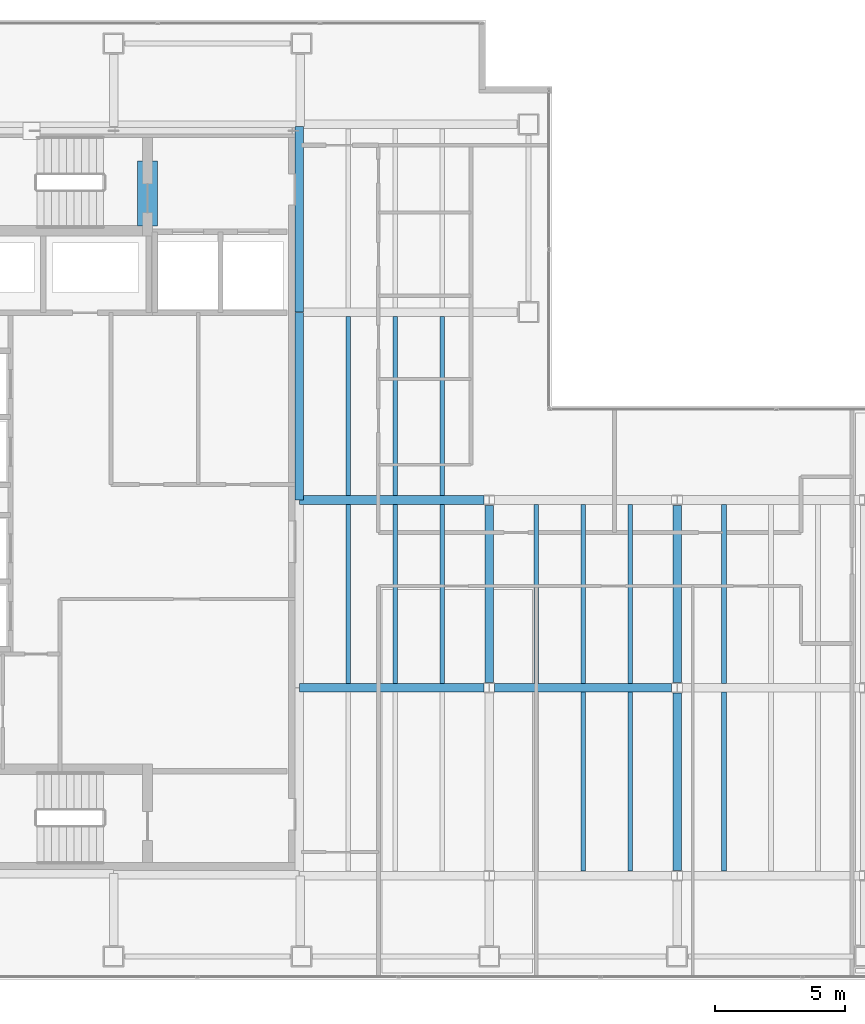
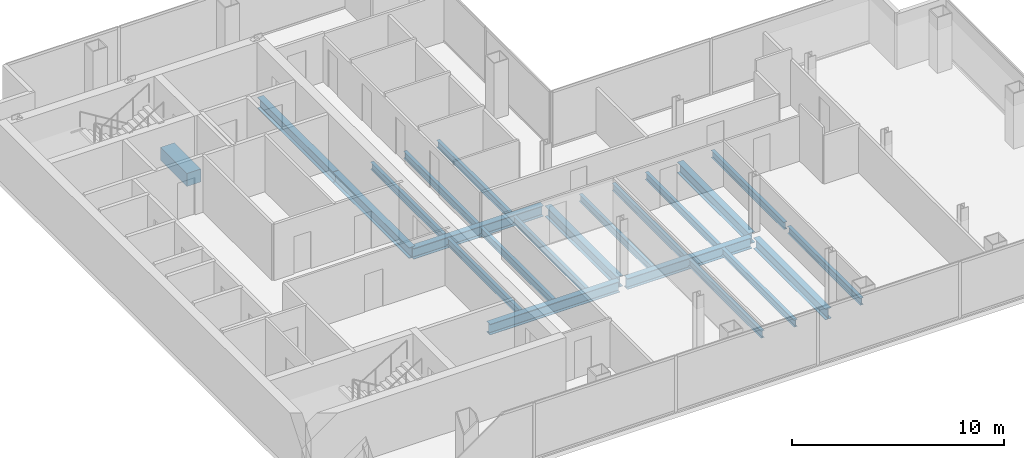
# One storey, part 7 of 23: 22 beams.
"""IFC4 building model written with IfcOpenShell, lengths in metres."""

from ifc_helpers import new_model, si_unit, direction, frame, origin, origin_2d, place, context, subcontext, project, spatial, rectangle, i_section, extrude, material, material_profile, profile_set, type_object, element, save


model = new_model("IFC4")

# Units and contexts
model_context = context("Model", 3, precision=1e-05, world=origin(), true_north=direction((0.0, 1.0)))
body_context = subcontext(model_context, "Body", "Model", "MODEL_VIEW")
ifc_project = project(units=[si_unit("LENGTHUNIT", "METRE"), si_unit("AREAUNIT", "SQUARE_METRE"), si_unit("VOLUMEUNIT", "CUBIC_METRE"), si_unit("PLANEANGLEUNIT", "RADIAN"), si_unit("MASSUNIT", "GRAM", prefix="KILO")], contexts=[model_context])

# Site, building, storey
site_placement = place(None, origin())
site = spatial("IfcSite", under=ifc_project, at=site_placement, CompositionType="ELEMENT")
building_placement = place(site_placement, origin())
building = spatial("IfcBuilding", under=site, at=building_placement, Name="Cobrela Telecom Tower", CompositionType="ELEMENT")
storey_placement = place(building_placement, frame((0.0, 0.0, 187.25)))
storey = spatial("IfcBuildingStorey", under=building, at=storey_placement, Name="L47", CompositionType="ELEMENT", Elevation=187.25)

# Beams
ifc_material_1 = material(Name="Concrete C40/50", Category="concrete")
ifc_material_profile_1 = material_profile(ifc_material_1, rectangle(XDim=0.75, YDim=0.75, at=origin_2d()), Name="RC 750x750")
ifc_profile_set_1 = profile_set([ifc_material_profile_1], Name="Concrete C40/50")
beam_type_1 = type_object("IfcBeamType", Name="BM-COUP-RC", PredefinedType="LINTEL", material=ifc_profile_set_1)
beam_1_placement = place(storey_placement, frame((8.5, 32.10009765625, -0.610107421875), z_axis=(0.0, 1.0, 0.0), x_axis=(-1.0, 0.0, 0.0)))
element("IfcBeam", 1, at=beam_1_placement, inside=storey, type_object=beam_type_1, Name="L47 Core Coupling Lintel Beam", PredefinedType="LINTEL", context=body_context, shape_type="SweptSolid", body=[
    extrude(rectangle(XDim=0.75, YDim=0.75, at=origin_2d()), origin(), (0.0, 0.0, 1.0), 2.5),
])
ifc_material_2 = material(Name="Steel ASTM A992 Grade 50", Category="steel")
ifc_material_profile_2 = material_profile(ifc_material_2, i_section(OverallWidth=0.327880859375, OverallDepth=0.6220703125, WebThickness=0.015380859375, FlangeThickness=0.0244140625, FilletRadius=0.014892578125, at=origin_2d()), Name="W24X131")
ifc_profile_set_2 = profile_set([ifc_material_profile_2], Name="Steel ASTM A992 Grade 50")
beam_type_2 = type_object("IfcBeamType", Name="BM-GIRD-06", PredefinedType="USERDEFINED", material=ifc_profile_set_2)
beam_2_placement = place(storey_placement, frame((14.324951171875, 14.39990234375, -0.571044921875), z_axis=(1.0, 0.0, 0.0), x_axis=(0.0, 1.0, 0.0)))
element("IfcBeam", 2, at=beam_2_placement, inside=storey, type_object=beam_type_2, Name="L47 Primary Girder X11", ObjectType="GIRDER", PredefinedType="USERDEFINED", context=body_context, shape_type="SweptSolid", body=[
    extrude(i_section(OverallWidth=0.327880859375, OverallDepth=0.6220703125, WebThickness=0.015380859375, FlangeThickness=0.0244140625, FilletRadius=0.014892578125, at=origin_2d()), origin(), (0.0, 0.0, 1.0), 7.070556640625),
])
beam_3_placement = place(storey_placement, frame((21.804443359375, 14.39990234375, -0.571044921875), z_axis=(1.0, 0.0, 0.0), x_axis=(0.0, 1.0, 0.0)))
element("IfcBeam", 3, at=beam_3_placement, inside=storey, type_object=beam_type_2, Name="L47 Primary Girder X12", ObjectType="GIRDER", PredefinedType="USERDEFINED", context=body_context, shape_type="SweptSolid", body=[
    extrude(i_section(OverallWidth=0.327880859375, OverallDepth=0.6220703125, WebThickness=0.015380859375, FlangeThickness=0.0244140625, FilletRadius=0.014892578125, at=origin_2d()), origin(), (0.0, 0.0, 1.0), 6.791015625),
])
beam_4_placement = place(storey_placement, frame((14.324951171875, 21.60009765625, -0.571044921875), z_axis=(1.0, 0.0, 0.0), x_axis=(0.0, 1.0, 0.0)))
element("IfcBeam", 4, at=beam_4_placement, inside=storey, type_object=beam_type_2, Name="L47 Primary Girder X15", ObjectType="GIRDER", PredefinedType="USERDEFINED", context=body_context, shape_type="SweptSolid", body=[
    extrude(i_section(OverallWidth=0.327880859375, OverallDepth=0.6220703125, WebThickness=0.015380859375, FlangeThickness=0.0244140625, FilletRadius=0.014892578125, at=origin_2d()), origin(), (0.0, 0.0, 1.0), 7.070556640625),
])
beam_5_placement = place(storey_placement, frame((14.320068359375, 21.60498046875, -0.571044921875), z_axis=(0.0, 1.0, 0.0), x_axis=(-1.0, 0.0, 0.0)))
element("IfcBeam", 5, at=beam_5_placement, inside=storey, type_object=beam_type_2, Name="L47 Primary Girder Y29", ObjectType="GIRDER", PredefinedType="USERDEFINED", context=body_context, shape_type="SweptSolid", body=[
    extrude(i_section(OverallWidth=0.327880859375, OverallDepth=0.6220703125, WebThickness=0.015380859375, FlangeThickness=0.0244140625, FilletRadius=0.014892578125, at=origin_2d()), origin(), (0.0, 0.0, 1.0), 7.18994140625),
])
beam_6_placement = place(storey_placement, frame((14.320068359375, 28.804931640625, -0.571044921875), z_axis=(0.0, 1.0, 0.0), x_axis=(-1.0, 0.0, 0.0)))
element("IfcBeam", 6, at=beam_6_placement, inside=storey, type_object=beam_type_2, Name="L47 Primary Girder Y30", ObjectType="GIRDER", PredefinedType="USERDEFINED", context=body_context, shape_type="SweptSolid", body=[
    extrude(i_section(OverallWidth=0.327880859375, OverallDepth=0.6220703125, WebThickness=0.015380859375, FlangeThickness=0.0244140625, FilletRadius=0.014892578125, at=origin_2d()), origin(), (0.0, 0.0, 1.0), 7.110107421875),
])
for number, where, z_axis, x_axis, name in (
    (7, (21.60009765625, 14.6044921875, -0.571044921875), (0.0, 1.0, 0.0), (-1.0, 0.0, 0.0), "L47 Primary Girder Y34"),
    (8, (28.800048828125, 7.404541015625, -0.571044921875), (0.0, 1.0, 0.0), (-1.0, 0.0, 0.0), "L47 Primary Girder Y37"),
    (9, (28.800048828125, 14.6044921875, -0.571044921875), (0.0, 1.0, 0.0), (-1.0, 0.0, 0.0), "L47 Primary Girder Y38"),
):
    element("IfcBeam", number, at=place(storey_placement, frame(where, z_axis=z_axis, x_axis=x_axis)), inside=storey, type_object=beam_type_2, Name=name, ObjectType="GIRDER", PredefinedType="USERDEFINED", context=body_context, shape_type="SweptSolid", body=[
        extrude(i_section(OverallWidth=0.327880859375, OverallDepth=0.6220703125, WebThickness=0.015380859375, FlangeThickness=0.0244140625, FilletRadius=0.014892578125, at=origin_2d()), origin(), (0.0, 0.0, 1.0), 6.791015625),
    ])
ifc_material_profile_3 = material_profile(ifc_material_2, i_section(OverallWidth=0.179931640625, OverallDepth=0.4169921875, WebThickness=0.010986328125, FlangeThickness=0.01806640625, FilletRadius=0.011962890625, at=origin_2d()), Name="W16X57")
ifc_profile_set_3 = profile_set([ifc_material_profile_3], Name="Steel ASTM A992 Grade 50")
beam_type_3 = type_object("IfcBeamType", Name="BM-JOIST-04", PredefinedType="JOIST", material=ifc_profile_set_3)
beam_7_placement = place(storey_placement, frame((16.199951171875, 14.569091796875, -0.468505859375), z_axis=(0.0, 1.0, 0.0), x_axis=(-1.0, 0.0, 0.0)))
element("IfcBeam", 10, at=beam_7_placement, inside=storey, type_object=beam_type_3, Name="L47 Secondary Composite Floor Beam J02", PredefinedType="JOIST", context=body_context, shape_type="SweptSolid", body=[
    extrude(i_section(OverallWidth=0.179931640625, OverallDepth=0.4169921875, WebThickness=0.010986328125, FlangeThickness=0.01806640625, FilletRadius=0.011962890625, at=origin_2d()), origin(), (0.0, 0.0, 1.0), 6.86181640625),
])
beam_8_placement = place(storey_placement, frame((16.199951171875, 21.76904296875, -0.468505859375), z_axis=(0.0, 1.0, 0.0), x_axis=(-1.0, 0.0, 0.0)))
element("IfcBeam", 11, at=beam_8_placement, inside=storey, type_object=beam_type_3, Name="L47 Secondary Composite Floor Beam J03", PredefinedType="JOIST", context=body_context, shape_type="SweptSolid", body=[
    extrude(i_section(OverallWidth=0.179931640625, OverallDepth=0.4169921875, WebThickness=0.010986328125, FlangeThickness=0.01806640625, FilletRadius=0.011962890625, at=origin_2d()), origin(), (0.0, 0.0, 1.0), 6.862060546875),
])
beam_9_placement = place(storey_placement, frame((18.0, 14.569091796875, -0.468505859375), z_axis=(0.0, 1.0, 0.0), x_axis=(-1.0, 0.0, 0.0)))
element("IfcBeam", 12, at=beam_9_placement, inside=storey, type_object=beam_type_3, Name="L47 Secondary Composite Floor Beam J06", PredefinedType="JOIST", context=body_context, shape_type="SweptSolid", body=[
    extrude(i_section(OverallWidth=0.179931640625, OverallDepth=0.4169921875, WebThickness=0.010986328125, FlangeThickness=0.01806640625, FilletRadius=0.011962890625, at=origin_2d()), origin(), (0.0, 0.0, 1.0), 6.86181640625),
])
beam_10_placement = place(storey_placement, frame((18.0, 21.76904296875, -0.468505859375), z_axis=(0.0, 1.0, 0.0), x_axis=(-1.0, 0.0, 0.0)))
element("IfcBeam", 13, at=beam_10_placement, inside=storey, type_object=beam_type_3, Name="L47 Secondary Composite Floor Beam J07", PredefinedType="JOIST", context=body_context, shape_type="SweptSolid", body=[
    extrude(i_section(OverallWidth=0.179931640625, OverallDepth=0.4169921875, WebThickness=0.010986328125, FlangeThickness=0.01806640625, FilletRadius=0.011962890625, at=origin_2d()), origin(), (0.0, 0.0, 1.0), 6.862060546875),
])
beam_11_placement = place(storey_placement, frame((19.800048828125, 14.569091796875, -0.468505859375), z_axis=(0.0, 1.0, 0.0), x_axis=(-1.0, 0.0, 0.0)))
element("IfcBeam", 14, at=beam_11_placement, inside=storey, type_object=beam_type_3, Name="L47 Secondary Composite Floor Beam J10", PredefinedType="JOIST", context=body_context, shape_type="SweptSolid", body=[
    extrude(i_section(OverallWidth=0.179931640625, OverallDepth=0.4169921875, WebThickness=0.010986328125, FlangeThickness=0.01806640625, FilletRadius=0.011962890625, at=origin_2d()), origin(), (0.0, 0.0, 1.0), 6.86181640625),
])
beam_12_placement = place(storey_placement, frame((19.800048828125, 21.76904296875, -0.468505859375), z_axis=(0.0, 1.0, 0.0), x_axis=(-1.0, 0.0, 0.0)))
element("IfcBeam", 15, at=beam_12_placement, inside=storey, type_object=beam_type_3, Name="L47 Secondary Composite Floor Beam J11", PredefinedType="JOIST", context=body_context, shape_type="SweptSolid", body=[
    extrude(i_section(OverallWidth=0.179931640625, OverallDepth=0.4169921875, WebThickness=0.010986328125, FlangeThickness=0.01806640625, FilletRadius=0.011962890625, at=origin_2d()), origin(), (0.0, 0.0, 1.0), 6.862060546875),
])
beam_13_placement = place(storey_placement, frame((23.39990234375, 14.569091796875, -0.468505859375), z_axis=(0.0, 1.0, 0.0), x_axis=(-1.0, 0.0, 0.0)))
element("IfcBeam", 16, at=beam_13_placement, inside=storey, type_object=beam_type_3, Name="L47 Secondary Composite Floor Beam J14", PredefinedType="JOIST", context=body_context, shape_type="SweptSolid", body=[
    extrude(i_section(OverallWidth=0.179931640625, OverallDepth=0.4169921875, WebThickness=0.010986328125, FlangeThickness=0.01806640625, FilletRadius=0.011962890625, at=origin_2d()), origin(), (0.0, 0.0, 1.0), 6.86181640625),
])
beam_14_placement = place(storey_placement, frame((25.199951171875, 7.368896484375, -0.468505859375), z_axis=(0.0, 1.0, 0.0), x_axis=(-1.0, 0.0, 0.0)))
element("IfcBeam", 17, at=beam_14_placement, inside=storey, type_object=beam_type_3, Name="L47 Secondary Composite Floor Beam J15", PredefinedType="JOIST", context=body_context, shape_type="SweptSolid", body=[
    extrude(i_section(OverallWidth=0.179931640625, OverallDepth=0.4169921875, WebThickness=0.010986328125, FlangeThickness=0.01806640625, FilletRadius=0.011962890625, at=origin_2d()), origin(), (0.0, 0.0, 1.0), 6.862060546875),
])
beam_15_placement = place(storey_placement, frame((25.199951171875, 14.569091796875, -0.468505859375), z_axis=(0.0, 1.0, 0.0), x_axis=(-1.0, 0.0, 0.0)))
element("IfcBeam", 18, at=beam_15_placement, inside=storey, type_object=beam_type_3, Name="L47 Secondary Composite Floor Beam J16", PredefinedType="JOIST", context=body_context, shape_type="SweptSolid", body=[
    extrude(i_section(OverallWidth=0.179931640625, OverallDepth=0.4169921875, WebThickness=0.010986328125, FlangeThickness=0.01806640625, FilletRadius=0.011962890625, at=origin_2d()), origin(), (0.0, 0.0, 1.0), 6.86181640625),
])
beam_16_placement = place(storey_placement, frame((27.0, 7.368896484375, -0.468505859375), z_axis=(0.0, 1.0, 0.0), x_axis=(-1.0, 0.0, 0.0)))
element("IfcBeam", 19, at=beam_16_placement, inside=storey, type_object=beam_type_3, Name="L47 Secondary Composite Floor Beam J17", PredefinedType="JOIST", context=body_context, shape_type="SweptSolid", body=[
    extrude(i_section(OverallWidth=0.179931640625, OverallDepth=0.4169921875, WebThickness=0.010986328125, FlangeThickness=0.01806640625, FilletRadius=0.011962890625, at=origin_2d()), origin(), (0.0, 0.0, 1.0), 6.862060546875),
])
beam_17_placement = place(storey_placement, frame((27.0, 14.569091796875, -0.468505859375), z_axis=(0.0, 1.0, 0.0), x_axis=(-1.0, 0.0, 0.0)))
element("IfcBeam", 20, at=beam_17_placement, inside=storey, type_object=beam_type_3, Name="L47 Secondary Composite Floor Beam J18", PredefinedType="JOIST", context=body_context, shape_type="SweptSolid", body=[
    extrude(i_section(OverallWidth=0.179931640625, OverallDepth=0.4169921875, WebThickness=0.010986328125, FlangeThickness=0.01806640625, FilletRadius=0.011962890625, at=origin_2d()), origin(), (0.0, 0.0, 1.0), 6.86181640625),
])
beam_18_placement = place(storey_placement, frame((30.60009765625, 7.368896484375, -0.468505859375), z_axis=(0.0, 1.0, 0.0), x_axis=(-1.0, 0.0, 0.0)))
element("IfcBeam", 21, at=beam_18_placement, inside=storey, type_object=beam_type_3, Name="L47 Secondary Composite Floor Beam J19", PredefinedType="JOIST", context=body_context, shape_type="SweptSolid", body=[
    extrude(i_section(OverallWidth=0.179931640625, OverallDepth=0.4169921875, WebThickness=0.010986328125, FlangeThickness=0.01806640625, FilletRadius=0.011962890625, at=origin_2d()), origin(), (0.0, 0.0, 1.0), 6.862060546875),
])
beam_19_placement = place(storey_placement, frame((30.60009765625, 14.569091796875, -0.468505859375), z_axis=(0.0, 1.0, 0.0), x_axis=(-1.0, 0.0, 0.0)))
element("IfcBeam", 22, at=beam_19_placement, inside=storey, type_object=beam_type_3, Name="L47 Secondary Composite Floor Beam J20", PredefinedType="JOIST", context=body_context, shape_type="SweptSolid", body=[
    extrude(i_section(OverallWidth=0.179931640625, OverallDepth=0.4169921875, WebThickness=0.010986328125, FlangeThickness=0.01806640625, FilletRadius=0.011962890625, at=origin_2d()), origin(), (0.0, 0.0, 1.0), 6.86181640625),
])

save(model, "model.ifc")
